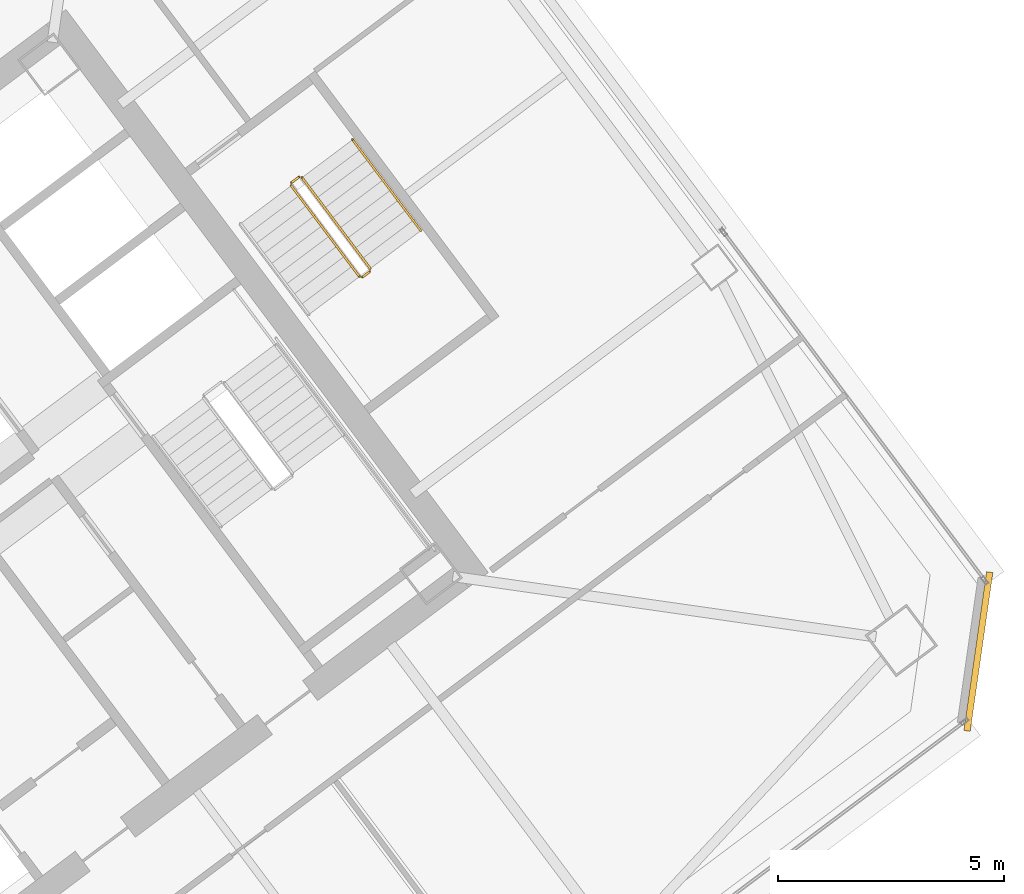
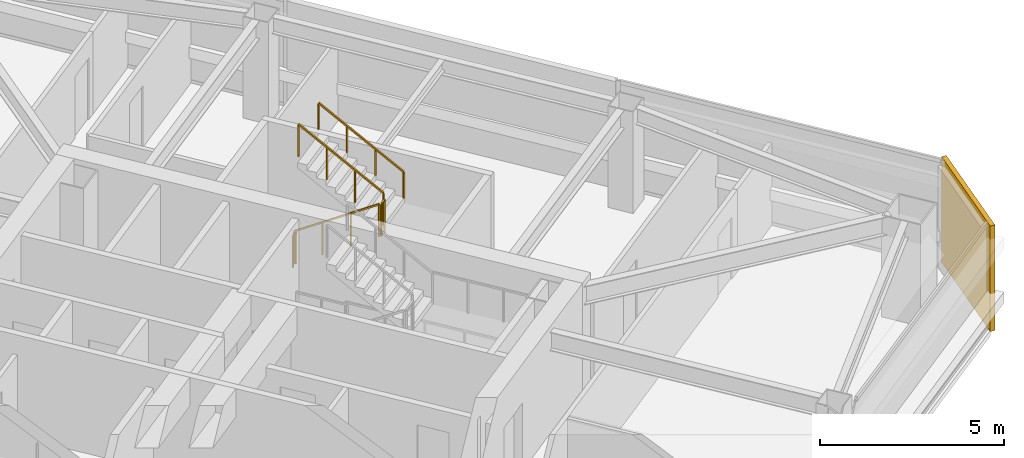
# One storey, part 40 of 41: 5 railings, 1 covering.
"""IFC4 building model written with IfcOpenShell, lengths in metres."""

import ifcopenshell
import ifcopenshell.guid

model = None  # the IFC model being written
_history = None  # IfcOwnerHistory: only IFC2X3 demands one
_inside = {}  # id of a spatial element -> (the spatial element, [elements in it])
_under = {}  # id of a project, library or spatial element -> (it, [spatial elements below it])
_declared = {}  # id of a project -> (the project, [libraries it declares])
_typed = {}  # id of a type object -> (the type object, [elements of that type])
_made_of = {}  # id of a material, layer set ... -> (it, [elements and type objects made of it])


def new_model(schema):
    """Start an empty IFC model of exactly this schema.

    Asked for "IFC4X3", IfcOpenShell would pick the latest addendum, in which some entities
    have other attributes; the version numbers below select the first issue.
    IFC2X3 requires an IfcOwnerHistory on every rooted entity: one is made here for all.
    """
    global model, _history
    if schema == "IFC4X3":
        model = ifcopenshell.file(schema_version=(4, 3, 0, 0))
    else:
        model = ifcopenshell.file(schema=schema)
    _inside.clear()
    _under.clear()
    _declared.clear()
    _typed.clear()
    _made_of.clear()
    _history = None
    if model.schema == "IFC2X3":
        org = make("IfcOrganization", Name="unknown")
        user = make(
            "IfcPersonAndOrganization",
            ThePerson=make("IfcPerson", FamilyName="unknown"),
            TheOrganization=org,
        )
        app = make(
            "IfcApplication",
            ApplicationDeveloper=org,
            Version="unknown",
            ApplicationFullName="unknown",
            ApplicationIdentifier="unknown",
        )
        _history = make(
            "IfcOwnerHistory",
            OwningUser=user,
            OwningApplication=app,
            ChangeAction="ADDED",
            CreationDate=0,
        )
    return model


def make(cls, **values):
    """One entity of the class cls with the attributes given. An attribute that is None is left unset."""
    return model.create_entity(
        cls, **{name: value for name, value in values.items() if value is not None}
    )


def rooted(cls, **values):
    """An entity with a GlobalId (a new one), such as an element, a storey or a relation."""
    return make(cls, GlobalId=ifcopenshell.guid.new(), OwnerHistory=_history, **values)


def si_unit(unit_type, name, prefix=None):
    """IfcSIUnit, for example si_unit("LENGTHUNIT", "METRE", prefix="MILLI")."""
    return make("IfcSIUnit", UnitType=unit_type, Prefix=prefix, Name=name)


def assignment(units):
    """IfcUnitAssignment: the units of a project."""
    return None if units is None else make("IfcUnitAssignment", Units=units)


def point(xyz):
    """IfcCartesianPoint."""
    return None if xyz is None else make("IfcCartesianPoint", Coordinates=xyz)


def direction(xyz):
    """IfcDirection."""
    return None if xyz is None else make("IfcDirection", DirectionRatios=xyz)


def frame(location, z_axis=None, x_axis=None):
    """IfcAxis2Placement3D, a coordinate frame: its origin and axes. An axis left out is left unset."""
    return make(
        "IfcAxis2Placement3D",
        Location=point(location),
        Axis=direction(z_axis),
        RefDirection=direction(x_axis),
    )


def frame_2d(location, x_axis=None):
    """IfcAxis2Placement2D, a coordinate frame in the plane: its origin and x axis."""
    return make(
        "IfcAxis2Placement2D", Location=point(location), RefDirection=direction(x_axis)
    )


def origin():
    """The frame at (0, 0, 0) with its axes left unset."""
    return frame((0.0, 0.0, 0.0))


def origin_2d():
    """The frame at (0, 0) in the plane with its x axis left unset."""
    return frame_2d((0.0, 0.0))


def place(relative_to, where):
    """IfcLocalPlacement: puts the frame where relative to a parent placement (None: the world)."""
    return make(
        "IfcLocalPlacement", PlacementRelTo=relative_to, RelativePlacement=where
    )


def context(
    kind, dimensions, precision=None, world=None, true_north=None, identifier=None
):
    """IfcGeometricRepresentationContext, for example the 3D "Model" context."""
    return make(
        "IfcGeometricRepresentationContext",
        ContextIdentifier=identifier,
        ContextType=kind,
        CoordinateSpaceDimension=dimensions,
        Precision=precision,
        WorldCoordinateSystem=world,
        TrueNorth=true_north,
    )


def subcontext(parent, identifier, kind, view, scale=None):
    """IfcGeometricRepresentationSubContext, for example "Body" below "Model"."""
    return make(
        "IfcGeometricRepresentationSubContext",
        ContextIdentifier=identifier,
        ContextType=kind,
        ParentContext=parent,
        TargetScale=scale,
        TargetView=view,
    )


def project(units=None, contexts=None):
    """IfcProject with its units and contexts."""
    return rooted(
        "IfcProject",
        Name="project",
        RepresentationContexts=contexts,
        UnitsInContext=assignment(units),
    )


def spatial(cls, under=None, at=None, **own):
    """A site, building, storey or space (cls), placed at a placement, below another one or the project."""
    s = rooted(cls, ObjectPlacement=at, **own)
    if under is not None:
        _under.setdefault(under.id(), (under, []))[1].append(s)
    return s


def profile(cls, at=None, kind="AREA", **sizes):
    """A parametric profile (cls). Its sizes go by their IFC names, for example OverallWidth=200.0."""
    return make(cls, ProfileType=kind, Position=at, **sizes)


def rectangle(**sizes):
    """IfcRectangleProfileDef."""
    return profile("IfcRectangleProfileDef", **sizes)


def extrude(swept, where, along, depth):
    """IfcExtrudedAreaSolid: the profile swept, set in the frame where, extruded along a direction by depth."""
    return make(
        "IfcExtrudedAreaSolid",
        SweptArea=swept,
        Position=where,
        ExtrudedDirection=direction(along),
        Depth=depth,
    )


def shape(context_of_items, identifier, shape_type, items):
    """IfcShapeRepresentation: the items that make up one representation, for example the "Body"."""
    return make(
        "IfcShapeRepresentation",
        ContextOfItems=context_of_items,
        RepresentationIdentifier=identifier,
        RepresentationType=shape_type,
        Items=items,
    )


def material(Name=None, Category=None):
    """IfcMaterial."""
    return make("IfcMaterial", Name=Name, Category=Category)


def layer(
    of_material, thickness, ventilated=None, Name=None, Category=None, Priority=None
):
    """IfcMaterialLayer: one layer of a wall or slab, of a material (None: an air gap)."""
    return make(
        "IfcMaterialLayer",
        Material=of_material,
        LayerThickness=thickness,
        IsVentilated=ventilated,
        Name=Name,
        Category=Category,
        Priority=Priority,
    )


def layer_set(layers, Name=None):
    """IfcMaterialLayerSet."""
    return make("IfcMaterialLayerSet", MaterialLayers=layers, LayerSetName=Name)


def made_of(thing, what):
    """Note that an element or type object is made of a material, layer set ...; save() writes the relation."""
    if what is not None:
        _made_of.setdefault(what.id(), (what, []))[1].append(thing)
    return thing


def type_object(cls, material=None, **own):
    """A type object (cls), such as IfcWallType, which elements share."""
    return made_of(rooted(cls, **own), material)


def element(
    cls,
    number,
    at=None,
    inside=None,
    cuts=None,
    type_object=None,
    material=None,
    context=None,
    identifier="Body",
    shape_type=None,
    held_by="IfcProductDefinitionShape",
    body=None,
    shapes=None,
    **own,
):
    """One element of the class cls, such as IfcWall. Its Tag is "e" and its number.

    at: its placement. inside: the storey or other place that contains it. cuts: it is an
    opening in that element (IfcRelVoidsElement). A single representation is given by context,
    identifier, shape_type and body (its items); several are given by shapes. held_by: the class
    of the entity that holds the representations. save() writes the other relations.
    """
    e = rooted(cls, Tag="e%d" % number, ObjectPlacement=at, **own)
    if body is not None:
        shapes = [shape(context, identifier, shape_type, body)]
    if shapes is not None:
        e.Representation = make(held_by, Representations=shapes)
    if inside is not None:
        _inside.setdefault(inside.id(), (inside, []))[1].append(e)
    if cuts is not None:
        rooted(
            "IfcRelVoidsElement", RelatingBuildingElement=cuts, RelatedOpeningElement=e
        )
    if type_object is not None:
        _typed.setdefault(type_object.id(), (type_object, []))[1].append(e)
    return made_of(e, material)


def aggregate(whole, parts):
    """IfcRelAggregates: a whole, such as a stair, and the parts it consists of."""
    return rooted("IfcRelAggregates", RelatingObject=whole, RelatedObjects=parts)


def save(model, path):
    """Write the relations noted so far, then the file.

    IfcRelAggregates (storeys below a building ...), IfcRelContainedInSpatialStructure (elements
    in a storey), IfcRelDefinesByType, IfcRelAssociatesMaterial and IfcRelDeclares: one each for
    every whole, place, type object, material and project.
    """
    for whole, parts in _under.values():
        aggregate(whole, parts)
    for where, things in _inside.values():
        rooted(
            "IfcRelContainedInSpatialStructure",
            RelatedElements=things,
            RelatingStructure=where,
        )
    for kind, things in _typed.values():
        rooted("IfcRelDefinesByType", RelatedObjects=things, RelatingType=kind)
    for what, things in _made_of.values():
        rooted("IfcRelAssociatesMaterial", RelatedObjects=things, RelatingMaterial=what)
    for by, libraries in _declared.values():
        rooted("IfcRelDeclares", RelatingContext=by, RelatedDefinitions=libraries)
    model.write(path)


model = new_model("IFC4")

# Units and contexts
model_context = context("Model", 3, precision=1e-05, world=origin(), true_north=direction((0.0, 1.0)))
body_context = subcontext(model_context, "Body", "Model", "MODEL_VIEW")
ifc_project = project(units=[si_unit("LENGTHUNIT", "METRE"), si_unit("AREAUNIT", "SQUARE_METRE"), si_unit("VOLUMEUNIT", "CUBIC_METRE"), si_unit("PLANEANGLEUNIT", "RADIAN"), si_unit("MASSUNIT", "GRAM", prefix="KILO")], contexts=[model_context])

# Site, building, storey
site_placement = place(None, origin())
site = spatial("IfcSite", under=ifc_project, at=site_placement, CompositionType="ELEMENT")
building_placement = place(site_placement, origin())
building = spatial("IfcBuilding", under=site, at=building_placement, Name="Tashvorn Skyway Center", CompositionType="ELEMENT")
storey_placement = place(building_placement, frame((0.0, 0.0, 192.5)))
storey = spatial("IfcBuildingStorey", under=building, at=storey_placement, Name="L52", CompositionType="ELEMENT", Elevation=192.5)

# Covering
ifc_material_1 = material(Name="Precast concrete C40/50", Category="concrete")
ifc_layer = layer(ifc_material_1, 0.35009765625)
ifc_layer_set = layer_set([ifc_layer], Name="Precast concrete C40/50")
covering_type = type_object("IfcCoveringType", Name="COV-STONE-TRIM", PredefinedType="CLADDING", material=ifc_layer_set)
covering_placement = place(storey_placement, frame((136.008056640625, 28.85595703125, 0.02001953125), z_axis=(0.0, 0.0, 1.0), x_axis=(0.141421350118, 0.989949494535, 0.0)))
element("IfcCovering", 1, at=covering_placement, inside=storey, type_object=covering_type, Name="Tower 2 L52 SE Mojave Limestone Corner Quoin", PredefinedType="CLADDING", context=body_context, shape_type="SweptSolid", body=[
    extrude(rectangle(XDim=3.55419921875, YDim=0.139892578125, at=origin_2d()), origin(), (0.0, 0.0, 1.0), 3.510009765625),
])

# Railings
ifc_material_2 = material(Name="Brushed stainless steel 316", Category="steel")
railing_type_1 = type_object("IfcRailingType", Name="RAIL-HAND-920", PredefinedType="HANDRAIL", material=ifc_material_2)
railing_1_placement = place(storey_placement, frame((123.64794921875, 38.18603515625, 1.952392578125)))
element("IfcRailing", 2, at=railing_1_placement, inside=storey, type_object=railing_type_1, Name="L52 ST-T2-3 stair handrail 2", PredefinedType="HANDRAIL", context=body_context, shape_type="SweptSolid", body=[
    extrude(rectangle(XDim=0.048095703125, YDim=0.048095703125, at=origin_2d()), frame((0.0, 0.0, 0.8759765625), z_axis=(-0.50674661542, 0.675634878657, 0.535467439255), x_axis=(-0.79998837352, -0.60001550166, 0.0)), (0.0, 0.0, 1.0), 2.983642578125),
    extrude(rectangle(XDim=0.0419921875, YDim=0.0419921875, at=origin_2d()), origin(), (0.0, 0.0, 1.0), 0.851806640625),
    extrude(rectangle(XDim=0.0419921875, YDim=0.0419921875, at=origin_2d()), frame((-0.50390625, 0.671875, 0.532470703125)), (0.0, 0.0, 1.0), 0.851806640625),
    extrude(rectangle(XDim=0.0419921875, YDim=0.0419921875, at=origin_2d()), frame((-1.008056640625, 1.343994140625, 1.065185546875)), (0.0, 0.0, 1.0), 0.851806640625),
    extrude(rectangle(XDim=0.0419921875, YDim=0.0419921875, at=origin_2d()), frame((-1.511962890625, 2.015869140625, 1.59765625)), (0.0, 0.0, 1.0), 0.851806640625),
])
ifc_material_3 = material(Name="Painted galvanized steel S355", Category="steel")
railing_type_2 = type_object("IfcRailingType", Name="RAIL-STGUARD-1100", PredefinedType="GUARDRAIL", material=ifc_material_3)
railing_2_placement = place(storey_placement, frame((120.77587890625, 39.181884765625, 0.177490234375)))
element("IfcRailing", 3, at=railing_2_placement, inside=storey, type_object=railing_type_2, Name="L52 ST-T2-3 stair guard 1", PredefinedType="GUARDRAIL", context=body_context, shape_type="SweptSolid", body=[
    extrude(rectangle(XDim=0.048095703125, YDim=0.048095703125, at=origin_2d()), frame((0.0, 0.0, 1.076171875), z_axis=(0.506829628838, -0.67563646195, 0.535386868177), x_axis=(0.799941867976, 0.600077501544, 0.0)), (0.0, 0.0, 1.0), 2.983642578125),
    extrude(rectangle(XDim=0.0419921875, YDim=0.0419921875, at=origin_2d()), origin(), (0.0, 0.0, 1.0), 1.052001953125),
    extrude(rectangle(XDim=0.0419921875, YDim=0.0419921875, at=origin_2d()), frame((0.504150390625, -0.671875, 0.532470703125)), (0.0, 0.0, 1.0), 1.052001953125),
    extrude(rectangle(XDim=0.0419921875, YDim=0.0419921875, at=origin_2d()), frame((1.008056640625, -1.343994140625, 1.06494140625)), (0.0, 0.0, 1.0), 1.052001953125),
    extrude(rectangle(XDim=0.0419921875, YDim=0.0419921875, at=origin_2d()), frame((1.51220703125, -2.015869140625, 1.597412109375)), (0.0, 0.0, 1.0), 1.052001953125),
])
railing_3_placement = place(storey_placement, frame((122.35791015625, 37.156005859375, 1.77490234375)))
element("IfcRailing", 4, at=railing_3_placement, inside=storey, type_object=railing_type_2, Name="L52 ST-T2-3 stair guard 2", PredefinedType="GUARDRAIL", context=body_context, shape_type="SweptSolid", body=[
    extrude(rectangle(XDim=0.048095703125, YDim=0.048095703125, at=origin_2d()), frame((0.0, 0.0, 1.076171875), z_axis=(0.800585412921, 0.599218655098, 0.0), x_axis=(-0.599218655098, 0.800585412921, 0.0)), (0.0, 0.0, 1.0), 0.199951171875),
    extrude(rectangle(XDim=0.0419921875, YDim=0.0419921875, at=origin_2d()), origin(), (0.0, 0.0, 1.0), 1.052001953125),
    extrude(rectangle(XDim=0.0419921875, YDim=0.0419921875, at=origin_2d()), frame((0.16015625, 0.119873046875, 0.0)), (0.0, 0.0, 1.0), 1.052001953125),
])
railing_4_placement = place(storey_placement, frame((122.528076171875, 37.345947265625, 1.952392578125)))
element("IfcRailing", 5, at=railing_4_placement, inside=storey, type_object=railing_type_2, Name="L52 ST-T2-3 stair guard 3", PredefinedType="GUARDRAIL", context=body_context, shape_type="SweptSolid", body=[
    extrude(rectangle(XDim=0.048095703125, YDim=0.048095703125, at=origin_2d()), frame((0.0, 0.0, 1.076171875), z_axis=(-0.506718600913, 0.675679348675, 0.535437836974), x_axis=(-0.800023250257, -0.599968998406, 0.0)), (0.0, 0.0, 1.0), 2.98388671875),
    extrude(rectangle(XDim=0.0419921875, YDim=0.0419921875, at=origin_2d()), origin(), (0.0, 0.0, 1.0), 1.052001953125),
    extrude(rectangle(XDim=0.0419921875, YDim=0.0419921875, at=origin_2d()), frame((-0.50390625, 0.672119140625, 0.532470703125)), (0.0, 0.0, 1.0), 1.052001953125),
    extrude(rectangle(XDim=0.0419921875, YDim=0.0419921875, at=origin_2d()), frame((-1.008056640625, 1.343994140625, 1.065185546875)), (0.0, 0.0, 1.0), 1.052001953125),
    extrude(rectangle(XDim=0.0419921875, YDim=0.0419921875, at=origin_2d()), frame((-1.511962890625, 2.01611328125, 1.59765625)), (0.0, 0.0, 1.0), 1.052001953125),
])
railing_5_placement = place(storey_placement, frame((120.785888671875, 39.251953125, 0.0)))
element("IfcRailing", 6, at=railing_5_placement, inside=storey, type_object=railing_type_2, Name="L52 ST-T2-3 stair guard 4", PredefinedType="GUARDRAIL", context=body_context, shape_type="SweptSolid", body=[
    extrude(rectangle(XDim=0.048095703125, YDim=0.048095703125, at=origin_2d()), frame((0.0, 0.0, 1.076171875), z_axis=(0.8, 0.6, 0.0), x_axis=(-0.6, 0.8, 0.0)), (0.0, 0.0, 1.0), 0.2001953125),
    extrude(rectangle(XDim=0.0419921875, YDim=0.0419921875, at=origin_2d()), origin(), (0.0, 0.0, 1.0), 1.052001953125),
    extrude(rectangle(XDim=0.0419921875, YDim=0.0419921875, at=origin_2d()), frame((0.16015625, 0.1201171875, 0.0)), (0.0, 0.0, 1.0), 1.052001953125),
])

save(model, "model.ifc")
